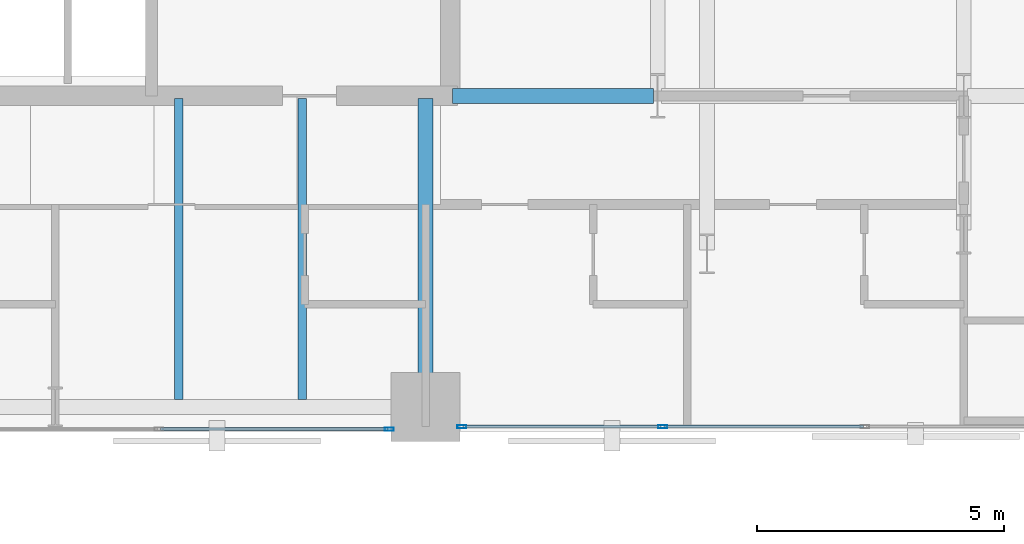
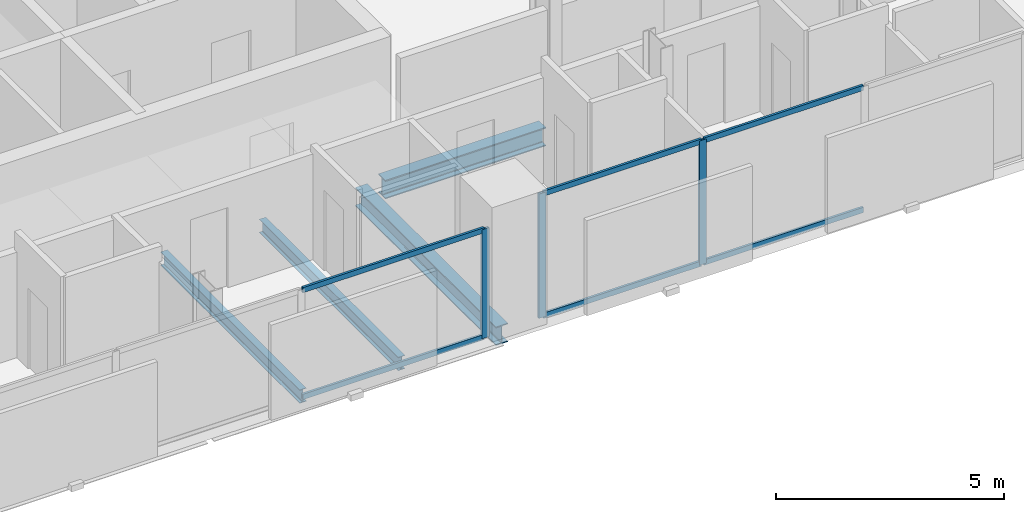
# One storey, part 15 of 32: 9 members, 4 beams, 2 elements without a shape of their own.
"""IFC4 building model written with IfcOpenShell, lengths in metres."""

from ifc_helpers import new_model, si_unit, direction, frame, origin, origin_2d, place, context, subcontext, project, spatial, hollow_rectangle, i_section, extrude, material, layer, layer_set, material_profile, profile_set, type_object, element, aggregate, save


model = new_model("IFC4")

# Units and contexts
model_context = context("Model", 3, precision=1e-05, world=origin(), true_north=direction((0.0, 1.0)))
body_context = subcontext(model_context, "Body", "Model", "MODEL_VIEW")
ifc_project = project(units=[si_unit("LENGTHUNIT", "METRE"), si_unit("AREAUNIT", "SQUARE_METRE"), si_unit("VOLUMEUNIT", "CUBIC_METRE"), si_unit("PLANEANGLEUNIT", "RADIAN"), si_unit("MASSUNIT", "GRAM", prefix="KILO")], contexts=[model_context])

# Site, building, storey
site_placement = place(None, origin())
site = spatial("IfcSite", under=ifc_project, at=site_placement, CompositionType="ELEMENT")
building_placement = place(site_placement, origin())
building = spatial("IfcBuilding", under=site, at=building_placement, Name="Catumbela Crestline Tower", CompositionType="ELEMENT")
storey_placement = place(building_placement, frame((0.0, 0.0, 65.4)))
storey = spatial("IfcBuildingStorey", under=building, at=storey_placement, Name="L16", CompositionType="ELEMENT", Elevation=65.4)

# Beams
ifc_material_1 = material(Name="Structural steel S355J2", Category="steel")
ifc_material_profile_1 = material_profile(ifc_material_1, i_section(OverallWidth=0.3, OverallDepth=0.5, WebThickness=0.0145, FlangeThickness=0.028, FilletRadius=0.027, at=origin_2d()), Name="HEB 500")
ifc_profile_set_1 = profile_set([ifc_material_profile_1], Name="Structural steel S355J2")
beam_type_1 = type_object("IfcBeamType", Name="BG-HEB500", PredefinedType="BEAM", material=ifc_profile_set_1)
beam_1_placement = place(storey_placement, frame((40.05, 30.8, -0.51), z_axis=(1.0, 0.0, 0.0), x_axis=(0.0, 1.0, 0.0)))
element("IfcBeam", 1, at=beam_1_placement, inside=storey, type_object=beam_type_1, Name="L16 Beam BM-L16-M10", PredefinedType="BEAM", context=body_context, shape_type="SweptSolid", body=[
    extrude(i_section(OverallWidth=0.3, OverallDepth=0.5, WebThickness=0.0145, FlangeThickness=0.028, FilletRadius=0.027, at=origin_2d()), origin(), (0.0, 0.0, 1.0), 4.07),
])
beam_2_placement = place(storey_placement, frame((39.5, 24.58, -0.51), z_axis=(0.0, 1.0, 0.0), x_axis=(-1.0, 0.0, 0.0)))
element("IfcBeam", 2, at=beam_2_placement, inside=storey, type_object=beam_type_1, Name="L16 Beam BM-L16-SNS34", PredefinedType="BEAM", context=body_context, shape_type="SweptSolid", body=[
    extrude(i_section(OverallWidth=0.3, OverallDepth=0.5, WebThickness=0.0145, FlangeThickness=0.028, FilletRadius=0.027, at=origin_2d()), origin(), (0.0, 0.0, 1.0), 6.17),
])
ifc_material_profile_2 = material_profile(ifc_material_1, i_section(OverallWidth=0.17, OverallDepth=0.36, WebThickness=0.008, FlangeThickness=0.0127, FilletRadius=0.018, at=origin_2d()), Name="IPE 360")
ifc_profile_set_2 = profile_set([ifc_material_profile_2], Name="Structural steel S355J2")
beam_type_2 = type_object("IfcBeamType", Name="BJ-IPE360", PredefinedType="JOIST", material=ifc_profile_set_2)
for number, where, z_axis, x_axis, name in (
    (3, (34.5, 24.647, -0.44), (0.0, 1.0, 0.0), (-1.0, 0.0, 0.0), "L16 Joist JS-L16-SP46"),
    (4, (37.0, 24.647, -0.44), (0.0, 1.0, 0.0), (-1.0, 0.0, 0.0), "L16 Joist JS-L16-SP47"),
):
    element("IfcBeam", number, at=place(storey_placement, frame(where, z_axis=z_axis, x_axis=x_axis)), inside=storey, type_object=beam_type_2, Name=name, PredefinedType="JOIST", context=body_context, shape_type="SweptSolid", body=[
        extrude(i_section(OverallWidth=0.17, OverallDepth=0.36, WebThickness=0.008, FlangeThickness=0.0127, FilletRadius=0.018, at=origin_2d()), origin(), (0.0, 0.0, 1.0), 6.103),
    ])

# Curtain wall, member
ifc_material_2 = material(Name="Aluminium alloy AW-6060-T66", Category="aluminium")
ifc_layer = layer(ifc_material_2, 0.18, Name="Aluminium alloy AW-6060-T66")
ifc_layer_set = layer_set([ifc_layer], Name="Aluminium alloy AW-6060-T66")
curtain_wall_type = type_object("IfcCurtainWallType", Name="CWU-Z1", PredefinedType="USERDEFINED", material=ifc_layer_set)
curtain_wall_1_placement = place(storey_placement, origin())
curtain_wall_1 = element("IfcCurtainWall", 5, at=curtain_wall_1_placement, inside=storey, type_object=curtain_wall_type, Name="L16 Unitised Curtain Wall CW-L16-E3S1", ObjectType="UNITISED", PredefinedType="USERDEFINED")
ifc_material_profile_3 = material_profile(ifc_material_2, hollow_rectangle(XDim=0.065, YDim=0.18, WallThickness=0.004, at=origin_2d()), Name="ALU 180x65x4")
ifc_profile_set_3 = profile_set([ifc_material_profile_3], Name="Aluminium alloy AW-6060-T66")
member_type_1 = type_object("IfcMemberType", Name="MUL-180X65", PredefinedType="MULLION", material=ifc_profile_set_3)
member_1_placement = place(storey_placement, frame((38.7675, 24.05, 0.0), z_axis=(0.0, 0.0, 1.0), x_axis=(0.0, 1.0, 0.0)))
member_1 = element("IfcMember", 6, at=member_1_placement, type_object=member_type_1, Name="CWU-Z1 mullion 4", PredefinedType="MULLION", context=body_context, shape_type="SweptSolid", body=[
    extrude(hollow_rectangle(XDim=0.065, YDim=0.18, WallThickness=0.004, at=origin_2d()), origin(), (0.0, 0.0, 1.0), 2.92),
])

# Curtain wall, members
curtain_wall_2_placement = place(storey_placement, origin())
curtain_wall_2 = element("IfcCurtainWall", 7, at=curtain_wall_2_placement, inside=storey, type_object=curtain_wall_type, Name="L16 Unitised Curtain Wall CW-L16-E3S2", ObjectType="UNITISED", PredefinedType="USERDEFINED")
member_2_placement = place(storey_placement, frame((40.2325, 24.1, 0.0), z_axis=(0.0, 0.0, 1.0), x_axis=(0.0, 1.0, 0.0)))
member_2 = element("IfcMember", 8, at=member_2_placement, type_object=member_type_1, Name="CWU-Z1 mullion 1", PredefinedType="MULLION", context=body_context, shape_type="SweptSolid", body=[
    extrude(hollow_rectangle(XDim=0.065, YDim=0.18, WallThickness=0.004, at=origin_2d()), origin(), (0.0, 0.0, 1.0), 3.33),
])
member_3_placement = place(storey_placement, frame((44.3, 24.1, 0.0), z_axis=(0.0, 0.0, 1.0), x_axis=(0.0, 1.0, 0.0)))
member_3 = element("IfcMember", 9, at=member_3_placement, type_object=member_type_1, Name="CWU-Z1 mullion 2", PredefinedType="MULLION", context=body_context, shape_type="SweptSolid", body=[
    extrude(hollow_rectangle(XDim=0.065, YDim=0.18, WallThickness=0.004, at=origin_2d()), origin(), (0.0, 0.0, 1.0), 3.33),
])

# Member
ifc_material_profile_4 = material_profile(ifc_material_2, hollow_rectangle(XDim=0.06, YDim=0.14, WallThickness=0.004, at=origin_2d()), Name="ALU 140x60x4")
ifc_profile_set_4 = profile_set([ifc_material_profile_4], Name="Aluminium alloy AW-6060-T66")
member_type_2 = type_object("IfcMemberType", Name="TRN-140X60", PredefinedType="USERDEFINED", material=ifc_profile_set_4)
member_4_placement = place(storey_placement, frame((34.1325, 24.05, 0.03), z_axis=(1.0, 0.0, 0.0), x_axis=(0.0, 1.0, 0.0)))
member_4 = element("IfcMember", 10, at=member_4_placement, type_object=member_type_2, Name="CWU-Z1 transom 3.1", ObjectType="TRANSOM", PredefinedType="USERDEFINED", context=body_context, shape_type="SweptSolid", body=[
    extrude(hollow_rectangle(XDim=0.06, YDim=0.14, WallThickness=0.004, at=origin_2d()), origin(), (0.0, 0.0, 1.0), 4.6025),
])

member_5_placement = place(storey_placement, frame((34.1325, 24.05, 2.89), z_axis=(1.0, 0.0, 0.0), x_axis=(0.0, 1.0, 0.0)))
member_5 = element("IfcMember", 11, at=member_5_placement, type_object=member_type_2, Name="CWU-Z1 transom 3.2", ObjectType="TRANSOM", PredefinedType="USERDEFINED", context=body_context, shape_type="SweptSolid", body=[
    extrude(hollow_rectangle(XDim=0.06, YDim=0.14, WallThickness=0.004, at=origin_2d()), origin(), (0.0, 0.0, 1.0), 4.6025),
])

aggregate(curtain_wall_1, [member_1, member_4, member_5])

member_6_placement = place(storey_placement, frame((40.265, 24.1, 0.03), z_axis=(1.0, 0.0, 0.0), x_axis=(0.0, 1.0, 0.0)))
member_6 = element("IfcMember", 12, at=member_6_placement, type_object=member_type_2, Name="CWU-Z1 transom 1.1", ObjectType="TRANSOM", PredefinedType="USERDEFINED", context=body_context, shape_type="SweptSolid", body=[
    extrude(hollow_rectangle(XDim=0.06, YDim=0.14, WallThickness=0.004, at=origin_2d()), origin(), (0.0, 0.0, 1.0), 4.0025),
])

member_7_placement = place(storey_placement, frame((40.265, 24.1, 3.3), z_axis=(1.0, 0.0, 0.0), x_axis=(0.0, 1.0, 0.0)))
member_7 = element("IfcMember", 13, at=member_7_placement, type_object=member_type_2, Name="CWU-Z1 transom 1.2", ObjectType="TRANSOM", PredefinedType="USERDEFINED", context=body_context, shape_type="SweptSolid", body=[
    extrude(hollow_rectangle(XDim=0.06, YDim=0.14, WallThickness=0.004, at=origin_2d()), origin(), (0.0, 0.0, 1.0), 4.0025),
])

member_8_placement = place(storey_placement, frame((44.3325, 24.1, 0.03), z_axis=(1.0, 0.0, 0.0), x_axis=(0.0, 1.0, 0.0)))
member_8 = element("IfcMember", 14, at=member_8_placement, type_object=member_type_2, Name="CWU-Z1 transom 2.1", ObjectType="TRANSOM", PredefinedType="USERDEFINED", context=body_context, shape_type="SweptSolid", body=[
    extrude(hollow_rectangle(XDim=0.06, YDim=0.14, WallThickness=0.004, at=origin_2d()), origin(), (0.0, 0.0, 1.0), 4.035),
])

member_9_placement = place(storey_placement, frame((44.3325, 24.1, 3.3), z_axis=(1.0, 0.0, 0.0), x_axis=(0.0, 1.0, 0.0)))
member_9 = element("IfcMember", 15, at=member_9_placement, type_object=member_type_2, Name="CWU-Z1 transom 2.2", ObjectType="TRANSOM", PredefinedType="USERDEFINED", context=body_context, shape_type="SweptSolid", body=[
    extrude(hollow_rectangle(XDim=0.06, YDim=0.14, WallThickness=0.004, at=origin_2d()), origin(), (0.0, 0.0, 1.0), 4.035),
])

aggregate(curtain_wall_2, [member_2, member_3, member_6, member_7, member_8, member_9])

save(model, "model.ifc")
